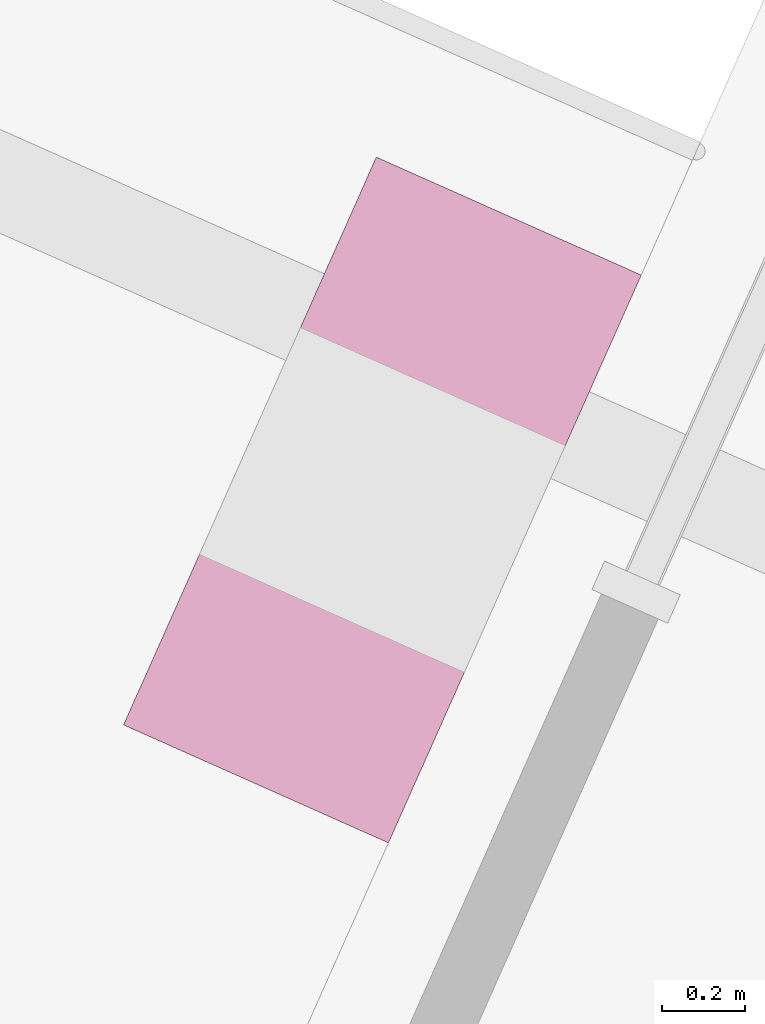
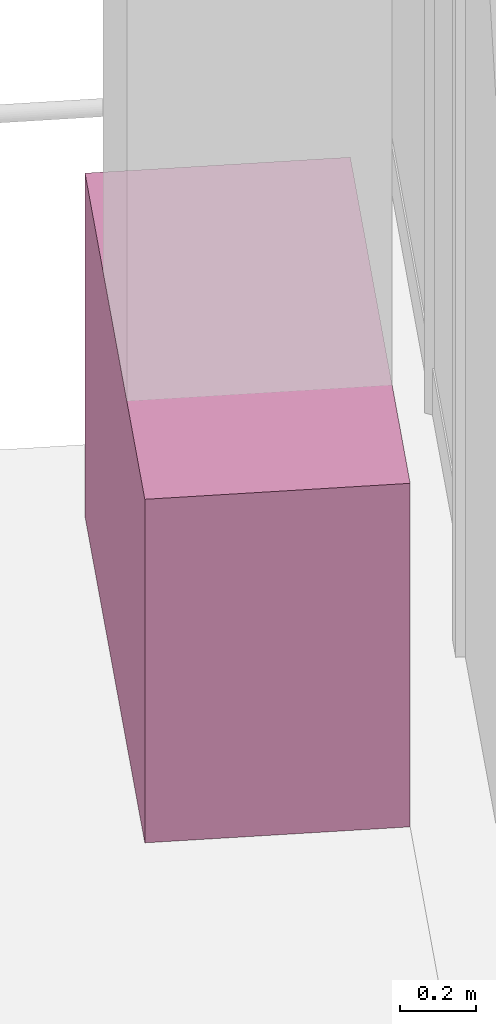
# One storey, part 19 of 20: 1 furniture element.
"""IFC4 building model written with IfcOpenShell, lengths in metres."""

from ifc_helpers import new_model, si_unit, direction, frame, origin, origin_2d, place, context, subcontext, project, spatial, rectangle, extrude, source, transform, mapped, material, type_object, element, save


model = new_model("IFC4")

# Units and contexts
model_context = context("Model", 3, precision=1e-05, world=origin(), true_north=direction((0.0, 1.0)))
body_context = subcontext(model_context, "Body", "Model", "MODEL_VIEW")
ifc_project = project(units=[si_unit("LENGTHUNIT", "METRE"), si_unit("AREAUNIT", "SQUARE_METRE"), si_unit("VOLUMEUNIT", "CUBIC_METRE"), si_unit("PLANEANGLEUNIT", "RADIAN"), si_unit("MASSUNIT", "GRAM", prefix="KILO")], contexts=[model_context])

# Site, building, storey
site_placement = place(None, origin())
site = spatial("IfcSite", under=ifc_project, at=site_placement, CompositionType="ELEMENT")
building_placement = place(site_placement, origin())
building = spatial("IfcBuilding", under=site, at=building_placement, Name="Triune Harvest Tower", CompositionType="ELEMENT")
storey_placement = place(building_placement, frame((0.0, 0.0, 234.10009765625)))
storey = spatial("IfcBuildingStorey", under=building, at=storey_placement, Name="L61", CompositionType="ELEMENT", Elevation=234.10009765625)

# Furniture
ifc_material = material(Name="Concrete 40 MPa", Category="concrete")
furniture_type = type_object("IfcFurnitureType", Name="PB-1 structural planter", AssemblyPlace="SITE", PredefinedType="USERDEFINED", material=ifc_material)
shared_shape = source(origin(), body_context, "Body", "SweptSolid", [
    extrude(rectangle(XDim=1.5, YDim=0.699951171875, at=origin_2d()), origin(), (0.0, 0.0, 1.0), 1.10009765625),
])
furniture_placement = place(storey_placement, frame((-23.26025390625, -1.465087890625, -0.000244140625), z_axis=(0.0, 0.0, 1.0), x_axis=(-0.406737912248, -0.91354489257, 0.0)))
element("IfcFurniture", 1, at=furniture_placement, inside=storey, type_object=furniture_type, Name="Planter B6-F3 L61.9a", ObjectType="PLANTER", PredefinedType="USERDEFINED", context=body_context, shape_type="MappedRepresentation", body=[
    mapped(shared_shape, transform((0.0, 0.0, 0.0), scale=1.0)),
])

save(model, "model.ifc")
